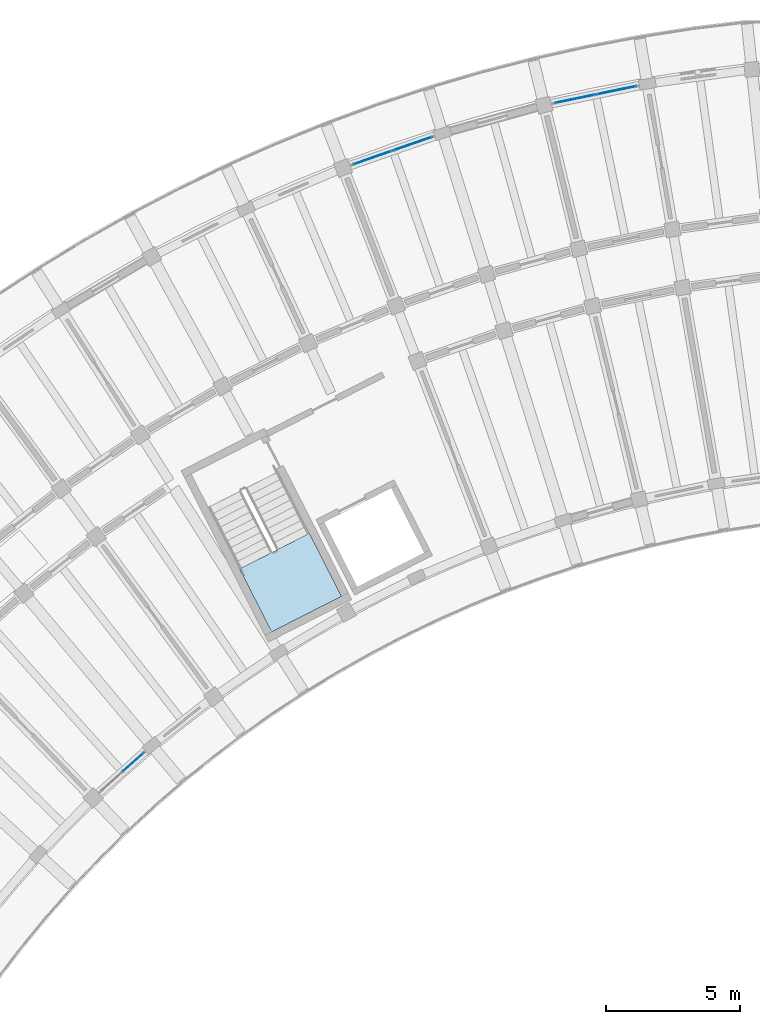
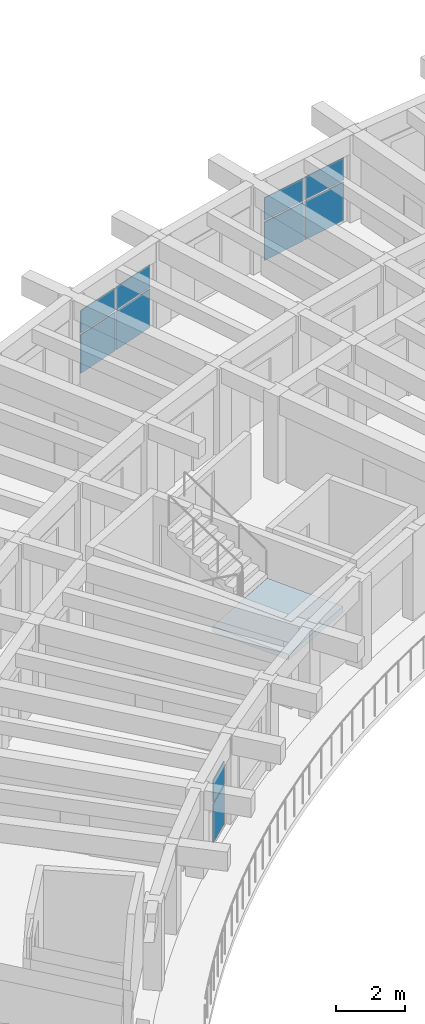
# One storey, part 48 of 96: 10 plates, 1 slab, 4 elements without a shape of their own.
"""IFC4 building model written with IfcOpenShell, lengths in metres."""

from ifc_helpers import new_model, si_unit, direction, frame, origin, origin_2d, place, context, subcontext, project, spatial, polyline, rectangle, outline, extrude, material, layer, layer_set, type_object, element, aggregate, save


model = new_model("IFC4")

# Units and contexts
model_context = context("Model", 3, precision=1e-05, world=origin(), true_north=direction((0.0, 1.0)))
body_context = subcontext(model_context, "Body", "Model", "MODEL_VIEW")
ifc_project = project(units=[si_unit("LENGTHUNIT", "METRE"), si_unit("AREAUNIT", "SQUARE_METRE"), si_unit("VOLUMEUNIT", "CUBIC_METRE"), si_unit("PLANEANGLEUNIT", "RADIAN"), si_unit("MASSUNIT", "GRAM", prefix="KILO")], contexts=[model_context])

# Site, building, storey
site_placement = place(None, origin())
site = spatial("IfcSite", under=ifc_project, at=site_placement, CompositionType="ELEMENT")
building_placement = place(site_placement, origin())
building = spatial("IfcBuilding", under=site, at=building_placement, Name="Tanwirah Colonnade Gardens", CompositionType="ELEMENT")
storey_placement = place(building_placement, frame((0.0, 0.0, 12.199951171875)))
storey = spatial("IfcBuildingStorey", under=building, at=storey_placement, Name="L03", CompositionType="ELEMENT", Elevation=12.199951171875)

# Curtain wall, plates
ifc_material_1 = material(Name="Bronze-anodised aluminium and solar-control low-E glass", Category="aluminium")
curtain_wall_type_1 = type_object("IfcCurtainWallType", Name="CW-LOB", PredefinedType="NOTDEFINED", material=ifc_material_1)
curtain_wall_1_placement = place(storey_placement, origin())
curtain_wall_1 = element("IfcCurtainWall", 1, at=curtain_wall_1_placement, inside=storey, type_object=curtain_wall_type_1, Name="Curtain Wall CW-A-L03-OUT-01", PredefinedType="NOTDEFINED")
ifc_material_2 = material(Name="Solar-control low-E double glazing", Category="glass")
ifc_layer_1 = layer(ifc_material_2, 0.028076171875)
ifc_layer_set_1 = layer_set([ifc_layer_1], Name="Solar-control low-E double glazing")
plate_type = type_object("IfcPlateType", Name="CWP-GLZ28", PredefinedType="CURTAIN_PANEL", material=ifc_layer_set_1)
plate_1_placement = place(storey_placement, frame((53.734619140625, 118.64697265625, 0.06005859375), z_axis=(0.0, 0.0, 1.0), x_axis=(-0.979340523595, -0.202218047772, 0.0)))
plate_1 = element("IfcPlate", 2, at=plate_1_placement, type_object=plate_type, Name="CW-LOB panel 1.1", PredefinedType="CURTAIN_PANEL", context=body_context, shape_type="SweptSolid", body=[
    extrude(rectangle(XDim=1.512939453125, YDim=0.028076171875, at=origin_2d()), origin(), (0.0, 0.0, 1.0), 1.3701171875),
])
plate_2_placement = place(storey_placement, frame((53.734619140625, 118.64697265625, 1.490234375), z_axis=(0.0, 0.0, 1.0), x_axis=(-0.979340523595, -0.202218047772, 0.0)))
plate_2 = element("IfcPlate", 3, at=plate_2_placement, type_object=plate_type, Name="CW-LOB panel 1.2", PredefinedType="CURTAIN_PANEL", context=body_context, shape_type="SweptSolid", body=[
    extrude(rectangle(XDim=1.512939453125, YDim=0.028076171875, at=origin_2d()), origin(), (0.0, 0.0, 1.0), 0.804931640625),
])
plate_3_placement = place(storey_placement, frame((52.1943359375, 118.3291015625, 0.06005859375), z_axis=(0.0, 0.0, 1.0), x_axis=(-0.979340523595, -0.202218047772, 0.0)))
plate_3 = element("IfcPlate", 4, at=plate_3_placement, type_object=plate_type, Name="CW-LOB panel 2.1", PredefinedType="CURTAIN_PANEL", context=body_context, shape_type="SweptSolid", body=[
    extrude(rectangle(XDim=1.512939453125, YDim=0.028076171875, at=origin_2d()), origin(), (0.0, 0.0, 1.0), 1.3701171875),
])
plate_4_placement = place(storey_placement, frame((52.1943359375, 118.3291015625, 1.490234375), z_axis=(0.0, 0.0, 1.0), x_axis=(-0.979340523595, -0.202218047772, 0.0)))
plate_4 = element("IfcPlate", 5, at=plate_4_placement, type_object=plate_type, Name="CW-LOB panel 2.2", PredefinedType="CURTAIN_PANEL", context=body_context, shape_type="SweptSolid", body=[
    extrude(rectangle(XDim=1.512939453125, YDim=0.028076171875, at=origin_2d()), origin(), (0.0, 0.0, 1.0), 0.804931640625),
])
aggregate(curtain_wall_1, [plate_1, plate_2, plate_3, plate_4])

curtain_wall_2_placement = place(storey_placement, origin())
curtain_wall_2 = element("IfcCurtainWall", 6, at=curtain_wall_2_placement, inside=storey, type_object=curtain_wall_type_1, Name="Curtain Wall CW-A-L03-OUT-03", PredefinedType="NOTDEFINED")
plate_5_placement = place(storey_placement, frame((46.1474609375, 116.658447265625, 0.06005859375), z_axis=(0.0, 0.0, 1.0), x_axis=(-0.944248655073, -0.329233165694, 0.0)))
plate_5 = element("IfcPlate", 7, at=plate_5_placement, type_object=plate_type, Name="CW-LOB panel 1.1", PredefinedType="CURTAIN_PANEL", context=body_context, shape_type="SweptSolid", body=[
    extrude(rectangle(XDim=1.512939453125, YDim=0.028076171875, at=origin_2d()), origin(), (0.0, 0.0, 1.0), 1.3701171875),
])
plate_6_placement = place(storey_placement, frame((46.1474609375, 116.658447265625, 1.490234375), z_axis=(0.0, 0.0, 1.0), x_axis=(-0.944248655073, -0.329233165694, 0.0)))
plate_6 = element("IfcPlate", 8, at=plate_6_placement, type_object=plate_type, Name="CW-LOB panel 1.2", PredefinedType="CURTAIN_PANEL", context=body_context, shape_type="SweptSolid", body=[
    extrude(rectangle(XDim=1.512939453125, YDim=0.028076171875, at=origin_2d()), origin(), (0.0, 0.0, 1.0), 0.804931640625),
])
plate_7_placement = place(storey_placement, frame((44.662353515625, 116.140625, 0.06005859375), z_axis=(0.0, 0.0, 1.0), x_axis=(-0.944248655073, -0.329233165694, 0.0)))
plate_7 = element("IfcPlate", 9, at=plate_7_placement, type_object=plate_type, Name="CW-LOB panel 2.1", PredefinedType="CURTAIN_PANEL", context=body_context, shape_type="SweptSolid", body=[
    extrude(rectangle(XDim=1.512939453125, YDim=0.028076171875, at=origin_2d()), origin(), (0.0, 0.0, 1.0), 1.3701171875),
])
plate_8_placement = place(storey_placement, frame((44.662353515625, 116.140625, 1.490234375), z_axis=(0.0, 0.0, 1.0), x_axis=(-0.944248655073, -0.329233165694, 0.0)))
plate_8 = element("IfcPlate", 10, at=plate_8_placement, type_object=plate_type, Name="CW-LOB panel 2.2", PredefinedType="CURTAIN_PANEL", context=body_context, shape_type="SweptSolid", body=[
    extrude(rectangle(XDim=1.512939453125, YDim=0.028076171875, at=origin_2d()), origin(), (0.0, 0.0, 1.0), 0.804931640625),
])
aggregate(curtain_wall_2, [plate_5, plate_6, plate_7, plate_8])

curtain_wall_type_2 = type_object("IfcCurtainWallType", Name="CW-GDN", PredefinedType="NOTDEFINED", material=ifc_material_1)
curtain_wall_3_placement = place(storey_placement, origin())
curtain_wall_3 = element("IfcCurtainWall", 11, at=curtain_wall_3_placement, inside=storey, type_object=curtain_wall_type_2, Name="Curtain Wall CW-A-L03-IN-09", PredefinedType="NOTDEFINED")
plate_9_placement = place(storey_placement, frame((35.737548828125, 93.63134765625, 0.06005859375), z_axis=(0.0, 0.0, 1.0), x_axis=(-0.744440162253, -0.667689182798, 0.0)))
plate_9 = element("IfcPlate", 12, at=plate_9_placement, type_object=plate_type, Name="CW-GDN panel 1.1", PredefinedType="CURTAIN_PANEL", context=body_context, shape_type="SweptSolid", body=[
    extrude(rectangle(XDim=1.01513671875, YDim=0.028076171875, at=origin_2d()), origin(), (0.0, 0.0, 1.0), 1.3701171875),
])
plate_10_placement = place(storey_placement, frame((35.737548828125, 93.63134765625, 1.490234375), z_axis=(0.0, 0.0, 1.0), x_axis=(-0.744440162253, -0.667689182798, 0.0)))
plate_10 = element("IfcPlate", 13, at=plate_10_placement, type_object=plate_type, Name="CW-GDN panel 1.2", PredefinedType="CURTAIN_PANEL", context=body_context, shape_type="SweptSolid", body=[
    extrude(rectangle(XDim=1.01513671875, YDim=0.028076171875, at=origin_2d()), origin(), (0.0, 0.0, 1.0), 0.804931640625),
])
aggregate(curtain_wall_3, [plate_9, plate_10])

# Stair, slab
ifc_material_3 = material(Name="Precast concrete C40/50", Category="concrete")
stair_type = type_object("IfcStairType", Name="ST-RES168", PredefinedType="HALF_TURN_STAIR", material=ifc_material_3)
stair_placement = place(storey_placement, origin())
stair = element("IfcStair", 14, at=stair_placement, inside=storey, type_object=stair_type, Name="L03 Block A Core 1 Exit Stair", PredefinedType="HALF_TURN_STAIR")
ifc_layer_2 = layer(ifc_material_3, 0.205078125)
ifc_layer_set_2 = layer_set([ifc_layer_2], Name="Precast concrete C40/50")
slab_type = type_object("IfcSlabType", Name="SL-LND-205", PredefinedType="LANDING", material=ifc_layer_set_2)
slab_placement = place(storey_placement, frame((0.0, 0.0, 1.47509765625)))
slab = element("IfcSlab", 15, at=slab_placement, type_object=slab_type, Name="ST-A1 landing 1", PredefinedType="LANDING", context=body_context, shape_type="SweptSolid", body=[
    extrude(outline(polyline([(39.6982421875, 100.826171875), (40.89453125, 98.478515625), (43.496337890625, 99.80419921875), (42.300048828125, 102.15185546875), (39.6982421875, 100.826171875)])), origin(), (0.0, 0.0, 1.0), 0.204833984375),
])
aggregate(stair, [slab])

save(model, "model.ifc")
